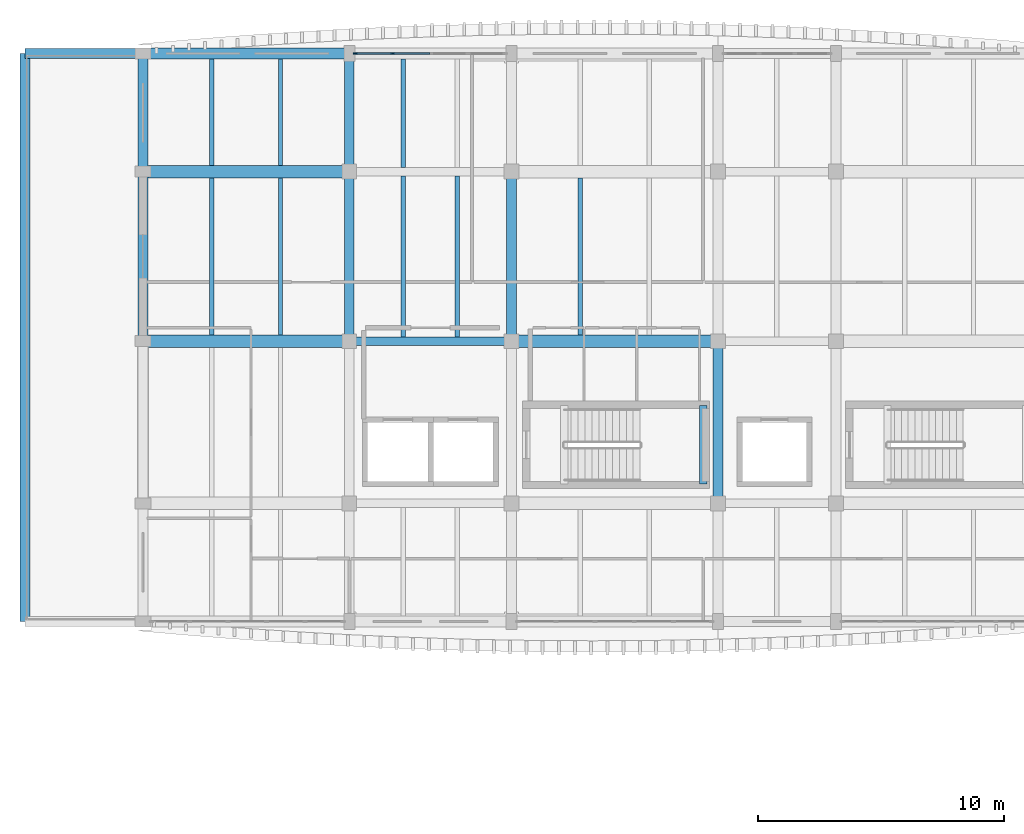
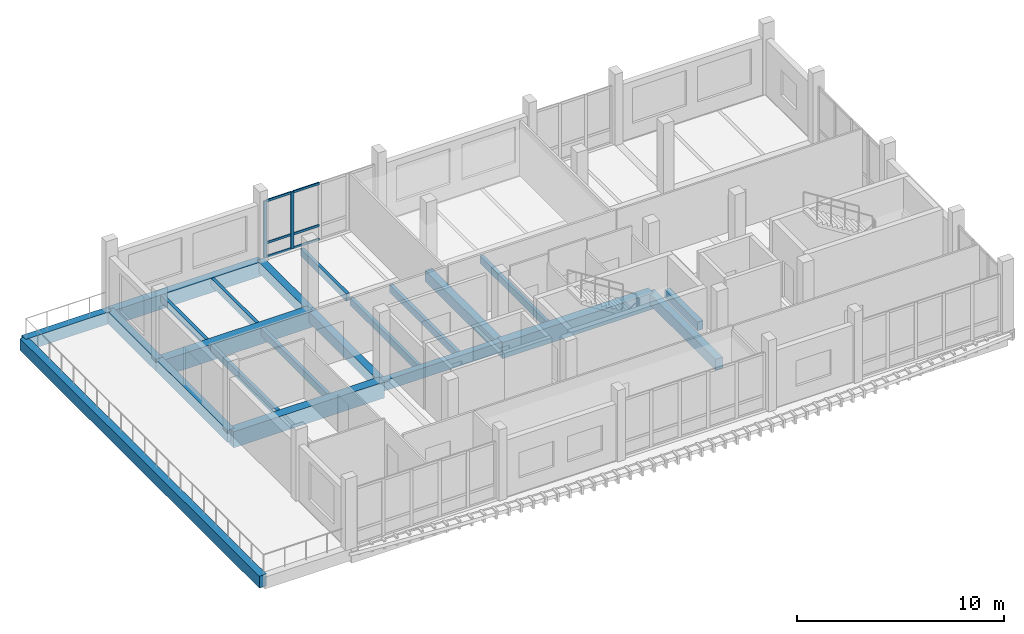
# One storey, part 3 of 20: 22 beams, 8 members, 1 element without a shape of its own.
"""IFC4 building model written with IfcOpenShell, lengths in metres."""

import ifcopenshell
import ifcopenshell.guid

model = None  # the IFC model being written
_history = None  # IfcOwnerHistory: only IFC2X3 demands one
_inside = {}  # id of a spatial element -> (the spatial element, [elements in it])
_under = {}  # id of a project, library or spatial element -> (it, [spatial elements below it])
_declared = {}  # id of a project -> (the project, [libraries it declares])
_typed = {}  # id of a type object -> (the type object, [elements of that type])
_made_of = {}  # id of a material, layer set ... -> (it, [elements and type objects made of it])


def new_model(schema):
    """Start an empty IFC model of exactly this schema.

    Asked for "IFC4X3", IfcOpenShell would pick the latest addendum, in which some entities
    have other attributes; the version numbers below select the first issue.
    IFC2X3 requires an IfcOwnerHistory on every rooted entity: one is made here for all.
    """
    global model, _history
    if schema == "IFC4X3":
        model = ifcopenshell.file(schema_version=(4, 3, 0, 0))
    else:
        model = ifcopenshell.file(schema=schema)
    _inside.clear()
    _under.clear()
    _declared.clear()
    _typed.clear()
    _made_of.clear()
    _history = None
    if model.schema == "IFC2X3":
        org = make("IfcOrganization", Name="unknown")
        user = make(
            "IfcPersonAndOrganization",
            ThePerson=make("IfcPerson", FamilyName="unknown"),
            TheOrganization=org,
        )
        app = make(
            "IfcApplication",
            ApplicationDeveloper=org,
            Version="unknown",
            ApplicationFullName="unknown",
            ApplicationIdentifier="unknown",
        )
        _history = make(
            "IfcOwnerHistory",
            OwningUser=user,
            OwningApplication=app,
            ChangeAction="ADDED",
            CreationDate=0,
        )
    return model


def make(cls, **values):
    """One entity of the class cls with the attributes given. An attribute that is None is left unset."""
    return model.create_entity(
        cls, **{name: value for name, value in values.items() if value is not None}
    )


def rooted(cls, **values):
    """An entity with a GlobalId (a new one), such as an element, a storey or a relation."""
    return make(cls, GlobalId=ifcopenshell.guid.new(), OwnerHistory=_history, **values)


def si_unit(unit_type, name, prefix=None):
    """IfcSIUnit, for example si_unit("LENGTHUNIT", "METRE", prefix="MILLI")."""
    return make("IfcSIUnit", UnitType=unit_type, Prefix=prefix, Name=name)


def assignment(units):
    """IfcUnitAssignment: the units of a project."""
    return None if units is None else make("IfcUnitAssignment", Units=units)


def point(xyz):
    """IfcCartesianPoint."""
    return None if xyz is None else make("IfcCartesianPoint", Coordinates=xyz)


def direction(xyz):
    """IfcDirection."""
    return None if xyz is None else make("IfcDirection", DirectionRatios=xyz)


def frame(location, z_axis=None, x_axis=None):
    """IfcAxis2Placement3D, a coordinate frame: its origin and axes. An axis left out is left unset."""
    return make(
        "IfcAxis2Placement3D",
        Location=point(location),
        Axis=direction(z_axis),
        RefDirection=direction(x_axis),
    )


def frame_2d(location, x_axis=None):
    """IfcAxis2Placement2D, a coordinate frame in the plane: its origin and x axis."""
    return make(
        "IfcAxis2Placement2D", Location=point(location), RefDirection=direction(x_axis)
    )


def origin():
    """The frame at (0, 0, 0) with its axes left unset."""
    return frame((0.0, 0.0, 0.0))


def origin_2d():
    """The frame at (0, 0) in the plane with its x axis left unset."""
    return frame_2d((0.0, 0.0))


def place(relative_to, where):
    """IfcLocalPlacement: puts the frame where relative to a parent placement (None: the world)."""
    return make(
        "IfcLocalPlacement", PlacementRelTo=relative_to, RelativePlacement=where
    )


def context(
    kind, dimensions, precision=None, world=None, true_north=None, identifier=None
):
    """IfcGeometricRepresentationContext, for example the 3D "Model" context."""
    return make(
        "IfcGeometricRepresentationContext",
        ContextIdentifier=identifier,
        ContextType=kind,
        CoordinateSpaceDimension=dimensions,
        Precision=precision,
        WorldCoordinateSystem=world,
        TrueNorth=true_north,
    )


def subcontext(parent, identifier, kind, view, scale=None):
    """IfcGeometricRepresentationSubContext, for example "Body" below "Model"."""
    return make(
        "IfcGeometricRepresentationSubContext",
        ContextIdentifier=identifier,
        ContextType=kind,
        ParentContext=parent,
        TargetScale=scale,
        TargetView=view,
    )


def project(units=None, contexts=None):
    """IfcProject with its units and contexts."""
    return rooted(
        "IfcProject",
        Name="project",
        RepresentationContexts=contexts,
        UnitsInContext=assignment(units),
    )


def spatial(cls, under=None, at=None, **own):
    """A site, building, storey or space (cls), placed at a placement, below another one or the project."""
    s = rooted(cls, ObjectPlacement=at, **own)
    if under is not None:
        _under.setdefault(under.id(), (under, []))[1].append(s)
    return s


def profile(cls, at=None, kind="AREA", **sizes):
    """A parametric profile (cls). Its sizes go by their IFC names, for example OverallWidth=200.0."""
    return make(cls, ProfileType=kind, Position=at, **sizes)


def rectangle(**sizes):
    """IfcRectangleProfileDef."""
    return profile("IfcRectangleProfileDef", **sizes)


def extrude(swept, where, along, depth):
    """IfcExtrudedAreaSolid: the profile swept, set in the frame where, extruded along a direction by depth."""
    return make(
        "IfcExtrudedAreaSolid",
        SweptArea=swept,
        Position=where,
        ExtrudedDirection=direction(along),
        Depth=depth,
    )


def shape(context_of_items, identifier, shape_type, items):
    """IfcShapeRepresentation: the items that make up one representation, for example the "Body"."""
    return make(
        "IfcShapeRepresentation",
        ContextOfItems=context_of_items,
        RepresentationIdentifier=identifier,
        RepresentationType=shape_type,
        Items=items,
    )


def material(Name=None, Category=None):
    """IfcMaterial."""
    return make("IfcMaterial", Name=Name, Category=Category)


def material_profile(
    of_material, cross_section, Name=None, Category=None, Priority=None
):
    """IfcMaterialProfile: a cross section and its material."""
    return make(
        "IfcMaterialProfile",
        Name=Name,
        Material=of_material,
        Profile=cross_section,
        Priority=Priority,
        Category=Category,
    )


def profile_set(profiles, Name=None, composite=None):
    """IfcMaterialProfileSet."""
    return make(
        "IfcMaterialProfileSet",
        Name=Name,
        MaterialProfiles=profiles,
        CompositeProfile=composite,
    )


def made_of(thing, what):
    """Note that an element or type object is made of a material, layer set ...; save() writes the relation."""
    if what is not None:
        _made_of.setdefault(what.id(), (what, []))[1].append(thing)
    return thing


def type_object(cls, material=None, **own):
    """A type object (cls), such as IfcWallType, which elements share."""
    return made_of(rooted(cls, **own), material)


def element(
    cls,
    number,
    at=None,
    inside=None,
    cuts=None,
    type_object=None,
    material=None,
    context=None,
    identifier="Body",
    shape_type=None,
    held_by="IfcProductDefinitionShape",
    body=None,
    shapes=None,
    **own,
):
    """One element of the class cls, such as IfcWall. Its Tag is "e" and its number.

    at: its placement. inside: the storey or other place that contains it. cuts: it is an
    opening in that element (IfcRelVoidsElement). A single representation is given by context,
    identifier, shape_type and body (its items); several are given by shapes. held_by: the class
    of the entity that holds the representations. save() writes the other relations.
    """
    e = rooted(cls, Tag="e%d" % number, ObjectPlacement=at, **own)
    if body is not None:
        shapes = [shape(context, identifier, shape_type, body)]
    if shapes is not None:
        e.Representation = make(held_by, Representations=shapes)
    if inside is not None:
        _inside.setdefault(inside.id(), (inside, []))[1].append(e)
    if cuts is not None:
        rooted(
            "IfcRelVoidsElement", RelatingBuildingElement=cuts, RelatedOpeningElement=e
        )
    if type_object is not None:
        _typed.setdefault(type_object.id(), (type_object, []))[1].append(e)
    return made_of(e, material)


def aggregate(whole, parts):
    """IfcRelAggregates: a whole, such as a stair, and the parts it consists of."""
    return rooted("IfcRelAggregates", RelatingObject=whole, RelatedObjects=parts)


def save(model, path):
    """Write the relations noted so far, then the file.

    IfcRelAggregates (storeys below a building ...), IfcRelContainedInSpatialStructure (elements
    in a storey), IfcRelDefinesByType, IfcRelAssociatesMaterial and IfcRelDeclares: one each for
    every whole, place, type object, material and project.
    """
    for whole, parts in _under.values():
        aggregate(whole, parts)
    for where, things in _inside.values():
        rooted(
            "IfcRelContainedInSpatialStructure",
            RelatedElements=things,
            RelatingStructure=where,
        )
    for kind, things in _typed.values():
        rooted("IfcRelDefinesByType", RelatedObjects=things, RelatingType=kind)
    for what, things in _made_of.values():
        rooted("IfcRelAssociatesMaterial", RelatedObjects=things, RelatingMaterial=what)
    for by, libraries in _declared.values():
        rooted("IfcRelDeclares", RelatingContext=by, RelatedDefinitions=libraries)
    model.write(path)


model = new_model("IFC4")

# Units and contexts
model_context = context("Model", 3, precision=1e-05, world=origin(), true_north=direction((0.0, 1.0)))
body_context = subcontext(model_context, "Body", "Model", "MODEL_VIEW")
ifc_project = project(units=[si_unit("LENGTHUNIT", "METRE"), si_unit("AREAUNIT", "SQUARE_METRE"), si_unit("VOLUMEUNIT", "CUBIC_METRE"), si_unit("PLANEANGLEUNIT", "RADIAN"), si_unit("MASSUNIT", "GRAM", prefix="KILO")], contexts=[model_context])

# Site, building, storey
site_placement = place(None, origin())
site = spatial("IfcSite", under=ifc_project, at=site_placement, CompositionType="ELEMENT")
building_placement = place(site_placement, origin())
building = spatial("IfcBuilding", under=site, at=building_placement, Name="Dornvale Research Institute", CompositionType="ELEMENT")
storey_placement = place(building_placement, frame((0.0, 0.0, 34.199951171875)))
storey = spatial("IfcBuildingStorey", under=building, at=storey_placement, Name="L07", CompositionType="ELEMENT", Elevation=34.199951171875)

# Beams
ifc_material_1 = material(Name="Concrete f'c 45 MPa (C35/45)", Category="concrete")
ifc_material_profile_1 = material_profile(ifc_material_1, rectangle(XDim=0.300048828125, YDim=0.5, at=origin_2d()), Name="RC 300x500")
ifc_profile_set_1 = profile_set([ifc_material_profile_1], Name="Concrete f'c 45 MPa (C35/45)")
beam_type_1 = type_object("IfcBeamType", Name="Beam_RC300x500_Trim", PredefinedType="BEAM", material=ifc_profile_set_1)
beam_1_placement = place(storey_placement, frame((27.60009765625, 104.580078125, 1.650146484375), z_axis=(0.0, 1.0, 0.0), x_axis=(-1.0, 0.0, 0.0)))
element("IfcBeam", 1, at=beam_1_placement, inside=storey, type_object=beam_type_1, Name="L07 ST-1 half-landing support beam #21", PredefinedType="BEAM", context=body_context, shape_type="SweptSolid", body=[
    extrude(rectangle(XDim=0.300048828125, YDim=0.5, at=origin_2d()), origin(), (0.0, 0.0, 1.0), 3.199951171875),
])
ifc_material_2 = material(Name="Concrete f'c 45 MPa (C35/45)", Category="concrete")
ifc_material_profile_2 = material_profile(ifc_material_2, rectangle(XDim=0.35009765625, YDim=0.60009765625, at=origin_2d()), Name="RC 350x600")
ifc_profile_set_2 = profile_set([ifc_material_profile_2], Name="Concrete f'c 45 MPa (C35/45)")
beam_type_2 = type_object("IfcBeamType", Name="Beam_RC350x600_Floor", PredefinedType="BEAM", material=ifc_profile_set_2)
beam_2_placement = place(storey_placement, frame((13.199951171875, 110.39990234375, -0.300048828125), z_axis=(1.0, 0.0, 0.0), x_axis=(0.0, 1.0, 0.0)))
element("IfcBeam", 2, at=beam_2_placement, inside=storey, type_object=beam_type_2, Name="L07 primary girder #1565", PredefinedType="BEAM", context=body_context, shape_type="SweptSolid", body=[
    extrude(rectangle(XDim=0.35009765625, YDim=0.60009765625, at=origin_2d()), origin(), (0.0, 0.0, 1.0), 6.60009765625),
])
ifc_material_3 = material(Name="Concrete f'c 45 MPa (C35/45)", Category="concrete")
ifc_material_profile_3 = material_profile(ifc_material_3, rectangle(XDim=0.39990234375, YDim=0.64990234375, at=origin_2d()), Name="RC 400x650")
ifc_profile_set_3 = profile_set([ifc_material_profile_3], Name="Concrete f'c 45 MPa (C35/45)")
beam_type_3 = type_object("IfcBeamType", Name="Beam_RC400x650_Floor", PredefinedType="BEAM", material=ifc_profile_set_3)
beam_3_placement = place(storey_placement, frame((13.199951171875, 110.39990234375, -0.324951171875), z_axis=(0.0, 1.0, 0.0), x_axis=(-1.0, 0.0, 0.0)))
element("IfcBeam", 3, at=beam_3_placement, inside=storey, type_object=beam_type_3, Name="L07 transverse girder #1585", PredefinedType="BEAM", context=body_context, shape_type="SweptSolid", body=[
    extrude(rectangle(XDim=0.39990234375, YDim=0.64990234375, at=origin_2d()), origin(), (0.0, 0.0, 1.0), 6.900146484375),
])
beam_4_placement = place(storey_placement, frame((13.199951171875, 117.300048828125, -0.324951171875), z_axis=(0.0, 1.0, 0.0), x_axis=(-1.0, 0.0, 0.0)))
element("IfcBeam", 4, at=beam_4_placement, inside=storey, type_object=beam_type_3, Name="L07 transverse girder #1586", PredefinedType="BEAM", context=body_context, shape_type="SweptSolid", body=[
    extrude(rectangle(XDim=0.39990234375, YDim=0.64990234375, at=origin_2d()), origin(), (0.0, 0.0, 1.0), 4.800048828125),
])
beam_5_placement = place(storey_placement, frame((19.800048828125, 110.39990234375, -0.324951171875), z_axis=(0.0, 1.0, 0.0), x_axis=(-1.0, 0.0, 0.0)))
element("IfcBeam", 5, at=beam_5_placement, inside=storey, type_object=beam_type_3, Name="L07 transverse girder #1589", PredefinedType="BEAM", context=body_context, shape_type="SweptSolid", body=[
    extrude(rectangle(XDim=0.39990234375, YDim=0.64990234375, at=origin_2d()), origin(), (0.0, 0.0, 1.0), 6.900146484375),
])
beam_6_placement = place(storey_placement, frame((28.199951171875, 103.800048828125, -0.324951171875), z_axis=(0.0, 1.0, 0.0), x_axis=(-1.0, 0.0, 0.0)))
element("IfcBeam", 6, at=beam_6_placement, inside=storey, type_object=beam_type_3, Name="L07 transverse girder #1592", PredefinedType="BEAM", context=body_context, shape_type="SweptSolid", body=[
    extrude(rectangle(XDim=0.39990234375, YDim=0.64990234375, at=origin_2d()), origin(), (0.0, 0.0, 1.0), 6.599853515625),
])
ifc_material_4 = material(Name="Concrete f'c 45 MPa (C35/45)", Category="concrete")
ifc_material_profile_4 = material_profile(ifc_material_4, rectangle(XDim=0.5, YDim=0.949951171875, at=origin_2d()), Name="RC 500x950")
ifc_profile_set_4 = profile_set([ifc_material_profile_4], Name="Concrete f'c 45 MPa (C35/45)")
beam_type_4 = type_object("IfcBeamType", Name="Beam_RC500x950_Girder", PredefinedType="BEAM", material=ifc_profile_set_4)
for number, where, z_axis, x_axis, name in (
    (7, (4.800048828125, 110.39990234375, -0.474853515625), (1.0, 0.0, 0.0), (0.0, 1.0, 0.0), "L07 primary girder #1564"),
    (8, (19.800048828125, 110.39990234375, -0.474853515625), (1.0, 0.0, 0.0), (0.0, 1.0, 0.0), "L07 primary girder #1566"),
    (9, (4.800048828125, 117.300048828125, -0.474853515625), (1.0, 0.0, 0.0), (0.0, 1.0, 0.0), "L07 primary girder #1569"),
):
    element("IfcBeam", number, at=place(storey_placement, frame(where, z_axis=z_axis, x_axis=x_axis)), inside=storey, type_object=beam_type_4, Name=name, PredefinedType="BEAM", context=body_context, shape_type="SweptSolid", body=[
        extrude(rectangle(XDim=0.5, YDim=0.949951171875, at=origin_2d()), origin(), (0.0, 0.0, 1.0), 8.39990234375),
    ])
ifc_material_5 = material(Name="Concrete f'c 45 MPa (C35/45)", Category="concrete")
ifc_material_profile_5 = material_profile(ifc_material_5, rectangle(XDim=0.179931640625, YDim=0.43505859375, at=origin_2d()), Name="RC 180x435")
ifc_profile_set_5 = profile_set([ifc_material_profile_5], Name="Concrete f'c 45 MPa (C35/45)")
beam_type_5 = type_object("IfcBeamType", Name="Joist_RC180x435_Rib", PredefinedType="JOIST", material=ifc_profile_set_5)
for number, where, z_axis, x_axis, name in (
    (10, (7.60009765625, 110.64990234375, -0.217529296875), (0.0, 1.0, 0.0), (-1.0, 0.0, 0.0), "L07 laboratory waffle joist #767"),
    (11, (10.39990234375, 110.64990234375, -0.217529296875), (0.0, 1.0, 0.0), (-1.0, 0.0, 0.0), "L07 laboratory waffle joist #768"),
):
    element("IfcBeam", number, at=place(storey_placement, frame(where, z_axis=z_axis, x_axis=x_axis)), inside=storey, type_object=beam_type_5, Name=name, PredefinedType="JOIST", context=body_context, shape_type="SweptSolid", body=[
        extrude(rectangle(XDim=0.179931640625, YDim=0.43505859375, at=origin_2d()), origin(), (0.0, 0.0, 1.0), 6.400146484375),
    ])
for number, where, z_axis, x_axis, name in (
    (12, (7.60009765625, 117.550048828125, -0.217529296875), (0.0, 1.0, 0.0), (-1.0, 0.0, 0.0), "L07 laboratory waffle joist #769"),
    (13, (10.39990234375, 117.550048828125, -0.217529296875), (0.0, 1.0, 0.0), (-1.0, 0.0, 0.0), "L07 laboratory waffle joist #770"),
):
    element("IfcBeam", number, at=place(storey_placement, frame(where, z_axis=z_axis, x_axis=x_axis)), inside=storey, type_object=beam_type_5, Name=name, PredefinedType="JOIST", context=body_context, shape_type="SweptSolid", body=[
        extrude(rectangle(XDim=0.179931640625, YDim=0.43505859375, at=origin_2d()), origin(), (0.0, 0.0, 1.0), 4.324951171875),
    ])
for number, where, z_axis, x_axis, name in (
    (14, (15.39990234375, 110.574951171875, -0.217529296875), (0.0, 1.0, 0.0), (-1.0, 0.0, 0.0), "L07 laboratory waffle joist #773"),
    (15, (17.60009765625, 110.574951171875, -0.217529296875), (0.0, 1.0, 0.0), (-1.0, 0.0, 0.0), "L07 laboratory waffle joist #774"),
):
    element("IfcBeam", number, at=place(storey_placement, frame(where, z_axis=z_axis, x_axis=x_axis)), inside=storey, type_object=beam_type_5, Name=name, PredefinedType="JOIST", context=body_context, shape_type="SweptSolid", body=[
        extrude(rectangle(XDim=0.179931640625, YDim=0.43505859375, at=origin_2d()), origin(), (0.0, 0.0, 1.0), 6.550048828125),
    ])
beam_7_placement = place(storey_placement, frame((15.39990234375, 117.47509765625, -0.217529296875), z_axis=(0.0, 1.0, 0.0), x_axis=(-1.0, 0.0, 0.0)))
element("IfcBeam", 16, at=beam_7_placement, inside=storey, type_object=beam_type_5, Name="L07 laboratory waffle joist #775", PredefinedType="JOIST", context=body_context, shape_type="SweptSolid", body=[
    extrude(rectangle(XDim=0.179931640625, YDim=0.43505859375, at=origin_2d()), origin(), (0.0, 0.0, 1.0), 4.39990234375),
])
beam_8_placement = place(storey_placement, frame((22.60009765625, 110.64990234375, -0.217529296875), z_axis=(0.0, 1.0, 0.0), x_axis=(-1.0, 0.0, 0.0)))
element("IfcBeam", 17, at=beam_8_placement, inside=storey, type_object=beam_type_5, Name="L07 laboratory waffle joist #779", PredefinedType="JOIST", context=body_context, shape_type="SweptSolid", body=[
    extrude(rectangle(XDim=0.179931640625, YDim=0.43505859375, at=origin_2d()), origin(), (0.0, 0.0, 1.0), 6.400146484375),
])

# Curtain wall, members
ifc_material_6 = material(Name="Low-E Argon Double Insulating Glazing Unit", Category="glass")
curtain_wall_type = type_object("IfcCurtainWallType", Name="UnitisedCurtainWall_V5_6150x3350", PredefinedType="USERDEFINED", material=ifc_material_6)
curtain_wall_placement = place(storey_placement, origin())
curtain_wall = element("IfcCurtainWall", 18, at=curtain_wall_placement, inside=storey, type_object=curtain_wall_type, Name="L07 V5 unitised curtain wall CW-34 #181", ObjectType="UNITISED CURTAIN WALL", PredefinedType="USERDEFINED")
ifc_material_7 = material(Name="Anodized Aluminum AA 6063-T6 Thermally Broken Frame", Category="aluminium")
ifc_material_profile_6 = material_profile(ifc_material_7, rectangle(XDim=0.06494140625, YDim=0.179931640625, at=origin_2d()), Name="ALU MULLION 65x180")
ifc_profile_set_6 = profile_set([ifc_material_profile_6], Name="Anodized Aluminum AA 6063-T6 Thermally Broken Frame")
member_type_1 = type_object("IfcMemberType", Name="Mullion_CW_65x180", PredefinedType="MULLION", material=ifc_profile_set_6)
member_1_placement = place(storey_placement, frame((13.45751953125, 122.10009765625, 0.0), z_axis=(0.0, 0.0, 1.0), x_axis=(0.0, 1.0, 0.0)))
member_1 = element("IfcMember", 19, at=member_1_placement, type_object=member_type_1, Name="CW-34 mullion 1", PredefinedType="MULLION", context=body_context, shape_type="SweptSolid", body=[
    extrude(rectangle(XDim=0.06494140625, YDim=0.179931640625, at=origin_2d()), origin(), (0.0, 0.0, 1.0), 3.35009765625),
])
member_2_placement = place(storey_placement, frame((14.96240234375, 122.10009765625, 0.0), z_axis=(0.0, 0.0, 1.0), x_axis=(0.0, 1.0, 0.0)))
member_2 = element("IfcMember", 20, at=member_2_placement, type_object=member_type_1, Name="CW-34 mullion 2", PredefinedType="MULLION", context=body_context, shape_type="SweptSolid", body=[
    extrude(rectangle(XDim=0.06494140625, YDim=0.179931640625, at=origin_2d()), origin(), (0.0, 0.0, 1.0), 3.35009765625),
])

# Beams
ifc_material_8 = material(Name="Concrete f'c 45 MPa (C35/45)", Category="concrete")
ifc_material_profile_7 = material_profile(ifc_material_8, rectangle(XDim=0.39990234375, YDim=0.699951171875, at=origin_2d()), Name="RC 400x700")
ifc_profile_set_7 = profile_set([ifc_material_profile_7], Name="Concrete f'c 45 MPa (C35/45)")
beam_type_6 = type_object("IfcBeamType", Name="Spandrel_RC400x700_Ext", PredefinedType="SPANDREL", material=ifc_profile_set_7)
beam_9_placement = place(storey_placement, frame((4.800048828125, 110.39990234375, -0.349853515625), z_axis=(0.0, 1.0, 0.0), x_axis=(-1.0, 0.0, 0.0)))
element("IfcBeam", 21, at=beam_9_placement, inside=storey, type_object=beam_type_6, Name="L07 perimeter spandrel #1581", PredefinedType="SPANDREL", context=body_context, shape_type="SweptSolid", body=[
    extrude(rectangle(XDim=0.39990234375, YDim=0.699951171875, at=origin_2d()), origin(), (0.0, 0.0, 1.0), 6.900146484375),
])
for number, where, z_axis, x_axis, name in (
    (22, (4.800048828125, 117.300048828125, -0.349853515625), (0.0, 1.0, 0.0), (-1.0, 0.0, 0.0), "L07 perimeter spandrel #1582"),
    (23, (0.0, 122.10009765625, -0.349853515625), (1.0, 0.0, 0.0), (0.0, 1.0, 0.0), "L07 terrace edge beam #1660"),
):
    element("IfcBeam", number, at=place(storey_placement, frame(where, z_axis=z_axis, x_axis=x_axis)), inside=storey, type_object=beam_type_6, Name=name, PredefinedType="SPANDREL", context=body_context, shape_type="SweptSolid", body=[
        extrude(rectangle(XDim=0.39990234375, YDim=0.699951171875, at=origin_2d()), origin(), (0.0, 0.0, 1.0), 4.800048828125),
    ])
beam_10_placement = place(storey_placement, frame((0.0, 99.0, -0.349853515625), z_axis=(0.0, 1.0, 0.0), x_axis=(-1.0, 0.0, 0.0)))
element("IfcBeam", 24, at=beam_10_placement, inside=storey, type_object=beam_type_6, Name="L07 terrace outer beam #1661", PredefinedType="SPANDREL", context=body_context, shape_type="SweptSolid", body=[
    extrude(rectangle(XDim=0.39990234375, YDim=0.699951171875, at=origin_2d()), origin(), (0.0, 0.0, 1.0), 23.10009765625),
])
ifc_material_9 = material(Name="Concrete f'c 45 MPa (C35/45)", Category="concrete")
ifc_material_profile_8 = material_profile(ifc_material_9, rectangle(XDim=0.449951171875, YDim=0.85009765625, at=origin_2d()), Name="RC 450x850")
ifc_profile_set_8 = profile_set([ifc_material_profile_8], Name="Concrete f'c 45 MPa (C35/45)")
beam_type_7 = type_object("IfcBeamType", Name="Spandrel_RC450x850_Ext", PredefinedType="SPANDREL", material=ifc_profile_set_8)
beam_11_placement = place(storey_placement, frame((4.800048828125, 122.10009765625, -0.425048828125), z_axis=(1.0, 0.0, 0.0), x_axis=(0.0, 1.0, 0.0)))
element("IfcBeam", 25, at=beam_11_placement, inside=storey, type_object=beam_type_7, Name="L07 perimeter spandrel #1574", PredefinedType="SPANDREL", context=body_context, shape_type="SweptSolid", body=[
    extrude(rectangle(XDim=0.449951171875, YDim=0.85009765625, at=origin_2d()), origin(), (0.0, 0.0, 1.0), 8.39990234375),
])

# Member
ifc_material_10 = material(Name="Anodized Aluminum AA 6063-T6 Thermally Broken Frame", Category="aluminium")
ifc_material_profile_9 = material_profile(ifc_material_10, rectangle(XDim=0.06494140625, YDim=0.135009765625, at=origin_2d()), Name="ALU TRANSOM 65x135")
ifc_profile_set_9 = profile_set([ifc_material_profile_9], Name="Anodized Aluminum AA 6063-T6 Thermally Broken Frame")
member_type_2 = type_object("IfcMemberType", Name="Transom_CW_65x135", PredefinedType="USERDEFINED", material=ifc_profile_set_9)
member_3_placement = place(storey_placement, frame((13.489990234375, 122.10009765625, 0.032470703125), z_axis=(1.0, 0.0, 0.0), x_axis=(0.0, 1.0, 0.0)))
member_3 = element("IfcMember", 26, at=member_3_placement, type_object=member_type_2, Name="CW-34 transom 1.1", ObjectType="TRANSOM", PredefinedType="USERDEFINED", context=body_context, shape_type="SweptSolid", body=[
    extrude(rectangle(XDim=0.06494140625, YDim=0.135009765625, at=origin_2d()), origin(), (0.0, 0.0, 1.0), 1.43994140625),
])

member_4_placement = place(storey_placement, frame((13.489990234375, 122.10009765625, 0.85009765625), z_axis=(1.0, 0.0, 0.0), x_axis=(0.0, 1.0, 0.0)))
member_4 = element("IfcMember", 27, at=member_4_placement, type_object=member_type_2, Name="CW-34 transom 1.2", ObjectType="TRANSOM", PredefinedType="USERDEFINED", context=body_context, shape_type="SweptSolid", body=[
    extrude(rectangle(XDim=0.06494140625, YDim=0.135009765625, at=origin_2d()), origin(), (0.0, 0.0, 1.0), 1.43994140625),
])

member_5_placement = place(storey_placement, frame((13.489990234375, 122.10009765625, 3.317626953125), z_axis=(1.0, 0.0, 0.0), x_axis=(0.0, 1.0, 0.0)))
member_5 = element("IfcMember", 28, at=member_5_placement, type_object=member_type_2, Name="CW-34 transom 1.3", ObjectType="TRANSOM", PredefinedType="USERDEFINED", context=body_context, shape_type="SweptSolid", body=[
    extrude(rectangle(XDim=0.06494140625, YDim=0.135009765625, at=origin_2d()), origin(), (0.0, 0.0, 1.0), 1.43994140625),
])

member_6_placement = place(storey_placement, frame((14.9951171875, 122.10009765625, 0.032470703125), z_axis=(1.0, 0.0, 0.0), x_axis=(0.0, 1.0, 0.0)))
member_6 = element("IfcMember", 29, at=member_6_placement, type_object=member_type_2, Name="CW-34 transom 2.1", ObjectType="TRANSOM", PredefinedType="USERDEFINED", context=body_context, shape_type="SweptSolid", body=[
    extrude(rectangle(XDim=0.06494140625, YDim=0.135009765625, at=origin_2d()), origin(), (0.0, 0.0, 1.0), 1.472412109375),
])

member_7_placement = place(storey_placement, frame((14.9951171875, 122.10009765625, 0.85009765625), z_axis=(1.0, 0.0, 0.0), x_axis=(0.0, 1.0, 0.0)))
member_7 = element("IfcMember", 30, at=member_7_placement, type_object=member_type_2, Name="CW-34 transom 2.2", ObjectType="TRANSOM", PredefinedType="USERDEFINED", context=body_context, shape_type="SweptSolid", body=[
    extrude(rectangle(XDim=0.06494140625, YDim=0.135009765625, at=origin_2d()), origin(), (0.0, 0.0, 1.0), 1.472412109375),
])

member_8_placement = place(storey_placement, frame((14.9951171875, 122.10009765625, 3.317626953125), z_axis=(1.0, 0.0, 0.0), x_axis=(0.0, 1.0, 0.0)))
member_8 = element("IfcMember", 31, at=member_8_placement, type_object=member_type_2, Name="CW-34 transom 2.3", ObjectType="TRANSOM", PredefinedType="USERDEFINED", context=body_context, shape_type="SweptSolid", body=[
    extrude(rectangle(XDim=0.06494140625, YDim=0.135009765625, at=origin_2d()), origin(), (0.0, 0.0, 1.0), 1.472412109375),
])

aggregate(curtain_wall, [member_1, member_2, member_3, member_4, member_5, member_6, member_7, member_8])

save(model, "model.ifc")
